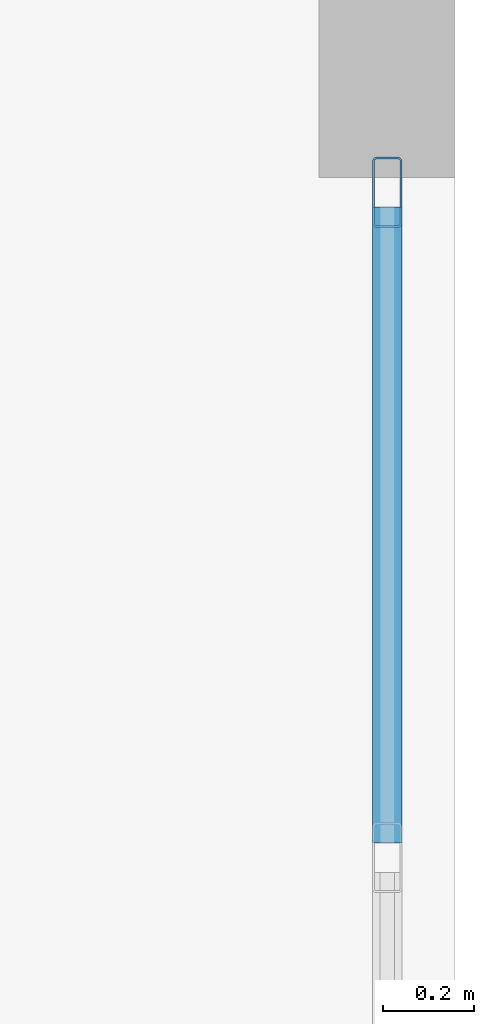
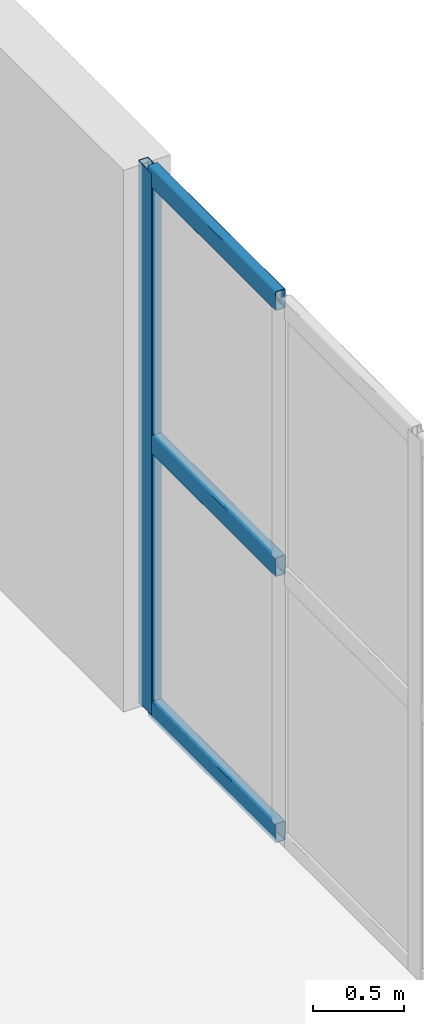
# One storey, part 4 of 7: 4 members, 1 element without a shape of its own.
"""IFC4 building model written with IfcOpenShell, lengths in metres."""

from ifc_helpers import new_model, entity, si_unit, converted_unit, direction, frame, origin_with_axes, origin_2d_with_axis, place, context, subcontext, project, spatial, hollow_rectangle, extrude, material, material_profile, profile_set, type_object, element, aggregate, save


model = new_model("IFC4")

# Units and contexts
model_context = context("Model", 3, precision=1e-05, world=origin_with_axes(), true_north=direction((0.0, 1.0)))
body_context = subcontext(model_context, "Body", "Model", "MODEL_VIEW")
ifc_project = project(units=[si_unit("LENGTHUNIT", "METRE"), si_unit("AREAUNIT", "SQUARE_METRE"), si_unit("VOLUMEUNIT", "CUBIC_METRE"), converted_unit("PLANEANGLEUNIT", "DEGREE", entity("IfcPlaneAngleMeasure", 0.017453292519943295), si_unit("PLANEANGLEUNIT", "RADIAN"), dimensions=[0, 0, 0, 0, 0, 0, 0]), si_unit("MASSUNIT", "GRAM", prefix="KILO"), si_unit("THERMODYNAMICTEMPERATUREUNIT", "KELVIN")], contexts=[model_context])

# Site, building, storey
site_placement = place(None, origin_with_axes())
site = spatial("IfcSite", under=ifc_project, at=site_placement, CompositionType="ELEMENT")
building_placement = place(site_placement, origin_with_axes())
building = spatial("IfcBuilding", under=site, at=building_placement, Name="Varnlund Millrace Tower", CompositionType="ELEMENT")
storey_placement = place(building_placement, frame((0.0, 0.0, 312.6), z_axis=(0.0, 0.0, 1.0), x_axis=(1.0, 0.0, 0.0)))
storey = spatial("IfcBuildingStorey", under=building, at=storey_placement, Name="L77", CompositionType="ELEMENT", Elevation=312.6)

# Curtain wall, members
ifc_material_1 = material(Name="Thermally broken architectural bronze curtain wall", Category="aluminium")
curtain_wall_type = type_object("IfcCurtainWallType", Name="Type-CW-Sys6-Observatory", PredefinedType="NOTDEFINED", material=ifc_material_1)
curtain_wall_placement = place(storey_placement, frame((32.25, 37.0, 0.0), z_axis=(0.0, 0.0, 1.0), x_axis=(1.0, 0.0, 0.0)))
curtain_wall = element("IfcCurtainWall", 1, at=curtain_wall_placement, inside=storey, type_object=curtain_wall_type, Name="Type-CW-Sys6-Observatory", PredefinedType="NOTDEFINED")
ifc_material_2 = material(Name="Architectural bronze aluminium alloy 6063-T6", Category="aluminium")
ifc_material_profile_1 = material_profile(ifc_material_2, hollow_rectangle(XDim=0.065, YDim=0.155, WallThickness=0.0045, InnerFilletRadius=0.004, OuterFilletRadius=0.009, at=origin_2d_with_axis()), Name="Architectural bronze aluminium alloy 6063-T6")
ifc_profile_set_1 = profile_set([ifc_material_profile_1], Name="Architectural bronze aluminium alloy 6063-T6")
member_type_1 = type_object("IfcMemberType", Name="Type-CW-Mullion-65X155", PredefinedType="MULLION", material=ifc_profile_set_1)
member_1_placement = place(storey_placement, frame((32.25, 36.9675, 0.0), z_axis=(0.0, 0.0, 1.0), x_axis=(1.0, 0.0, 0.0)))
member_1 = element("IfcMember", 2, at=member_1_placement, type_object=member_type_1, Name="CW-06 mullion 1", PredefinedType="MULLION", context=body_context, shape_type="SweptSolid", body=[
    extrude(hollow_rectangle(XDim=0.065, YDim=0.155, WallThickness=0.0045, InnerFilletRadius=0.004, OuterFilletRadius=0.009, at=origin_2d_with_axis()), origin_with_axes(), (0.0, 0.0, 1.0), 3.64),
])
ifc_material_profile_2 = material_profile(ifc_material_2, hollow_rectangle(XDim=0.065, YDim=0.13, WallThickness=0.0045, InnerFilletRadius=0.004, OuterFilletRadius=0.009, at=origin_2d_with_axis()), Name="Architectural bronze aluminium alloy 6063-T6")
ifc_profile_set_2 = profile_set([ifc_material_profile_2], Name="Architectural bronze aluminium alloy 6063-T6")
member_type_2 = type_object("IfcMemberType", Name="Type-CW-Transom-65X130", PredefinedType="USERDEFINED", material=ifc_profile_set_2)
member_2_placement = place(storey_placement, frame((32.25, 36.935, 0.0325), z_axis=(0.0, -1.0, 0.0), x_axis=(1.0, 0.0, 0.0)))
member_2 = element("IfcMember", 3, at=member_2_placement, type_object=member_type_2, Name="CW-06 transom 1.1", ObjectType="TRANSOM", PredefinedType="USERDEFINED", context=body_context, shape_type="SweptSolid", body=[
    extrude(hollow_rectangle(XDim=0.065, YDim=0.13, WallThickness=0.0045, InnerFilletRadius=0.004, OuterFilletRadius=0.009, at=origin_2d_with_axis()), origin_with_axes(), (0.0, 0.0, 1.0), 1.4025),
])
member_3_placement = place(storey_placement, frame((32.25, 36.935, 1.82), z_axis=(0.0, -1.0, 0.0), x_axis=(1.0, 0.0, 0.0)))
member_3 = element("IfcMember", 4, at=member_3_placement, type_object=member_type_2, Name="CW-06 transom 1.2", ObjectType="TRANSOM", PredefinedType="USERDEFINED", context=body_context, shape_type="SweptSolid", body=[
    extrude(hollow_rectangle(XDim=0.065, YDim=0.13, WallThickness=0.0045, InnerFilletRadius=0.004, OuterFilletRadius=0.009, at=origin_2d_with_axis()), origin_with_axes(), (0.0, 0.0, 1.0), 1.4025),
])
member_4_placement = place(storey_placement, frame((32.25, 36.935, 3.6075), z_axis=(0.0, -1.0, 0.0), x_axis=(1.0, 0.0, 0.0)))
member_4 = element("IfcMember", 5, at=member_4_placement, type_object=member_type_2, Name="CW-06 transom 1.3", ObjectType="TRANSOM", PredefinedType="USERDEFINED", context=body_context, shape_type="SweptSolid", body=[
    extrude(hollow_rectangle(XDim=0.065, YDim=0.13, WallThickness=0.0045, InnerFilletRadius=0.004, OuterFilletRadius=0.009, at=origin_2d_with_axis()), origin_with_axes(), (0.0, 0.0, 1.0), 1.4025),
])
aggregate(curtain_wall, [member_1, member_2, member_3, member_4])

save(model, "model.ifc")
